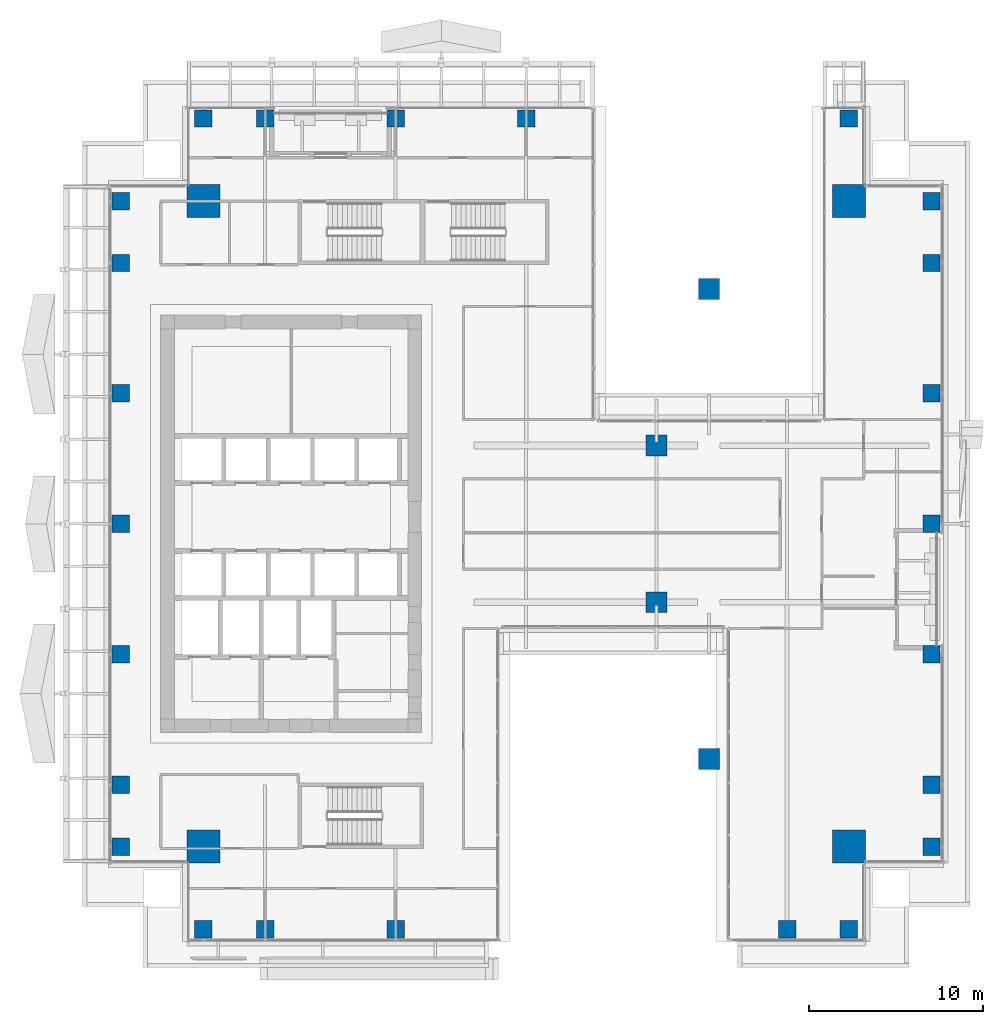
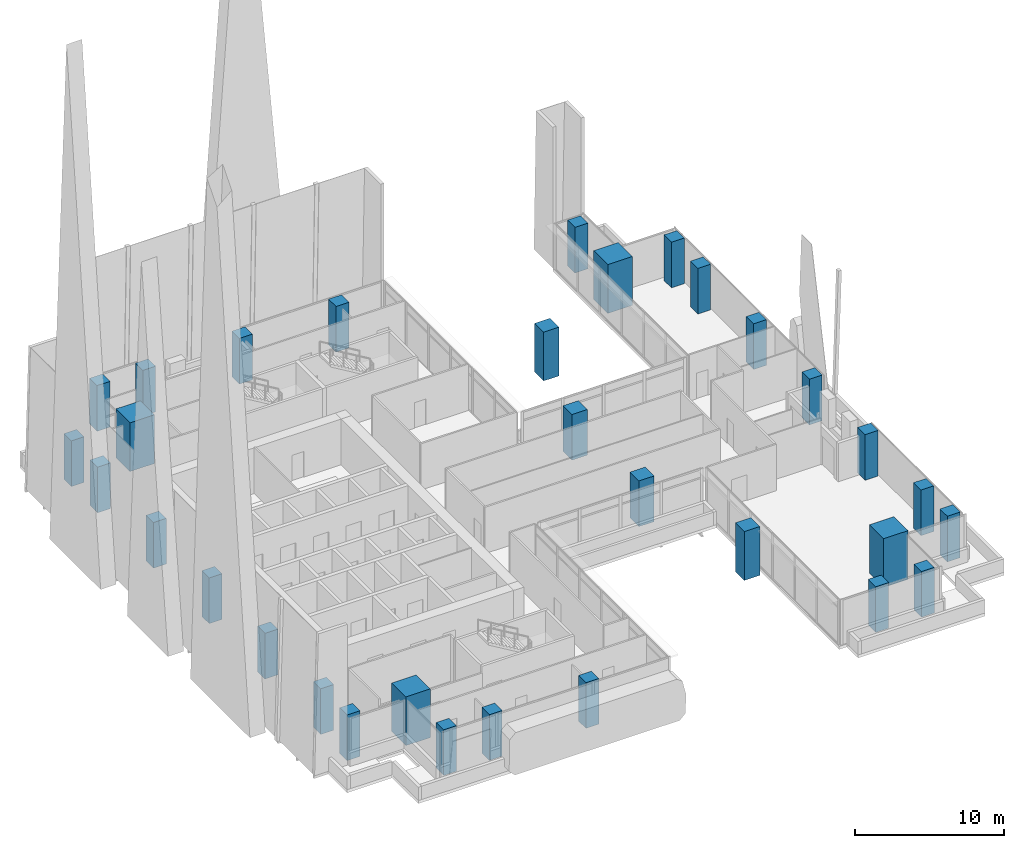
# One storey, part 1 of 43: 32 columns.
"""IFC4 building model written with IfcOpenShell, lengths in metres."""

from ifc_helpers import new_model, si_unit, direction, frame, origin, origin_2d, place, context, subcontext, project, spatial, rectangle, extrude, source, transform, mapped, material, material_profile, profile_set, type_object, element, save


model = new_model("IFC4")

# Units and contexts
model_context = context("Model", 3, precision=1e-05, world=origin(), true_north=direction((0.0, 1.0)))
body_context = subcontext(model_context, "Body", "Model", "MODEL_VIEW")
ifc_project = project(units=[si_unit("LENGTHUNIT", "METRE"), si_unit("AREAUNIT", "SQUARE_METRE"), si_unit("VOLUMEUNIT", "CUBIC_METRE"), si_unit("PLANEANGLEUNIT", "RADIAN"), si_unit("MASSUNIT", "GRAM", prefix="KILO")], contexts=[model_context])

# Site, building, storey
site_placement = place(None, origin())
site = spatial("IfcSite", under=ifc_project, at=site_placement, CompositionType="ELEMENT")
building_placement = place(site_placement, origin())
building = spatial("IfcBuilding", under=site, at=building_placement, Name="Khomas Fold Tower", CompositionType="ELEMENT")
storey_placement = place(building_placement, frame((0.0, 0.0, 164.699951171875)))
storey = spatial("IfcBuildingStorey", under=building, at=storey_placement, Name="L35", CompositionType="ELEMENT", Elevation=164.699951171875)

# Columns
ifc_material_1 = material(Name="Concrete C60/75", Category="concrete")
ifc_material_profile_1 = material_profile(ifc_material_1, rectangle(XDim=1.199951171875, YDim=1.199951171875, at=origin_2d()), Name="RC 1200x1200")
ifc_profile_set_1 = profile_set([ifc_material_profile_1], Name="Concrete C60/75")
column_type_1 = type_object("IfcColumnType", Name="RC 1200x1200 column", PredefinedType="COLUMN", material=ifc_profile_set_1)
shared_shape_1 = source(origin(), body_context, "Body", "SweptSolid", [
    extrude(rectangle(XDim=1.199951171875, YDim=1.199951171875, at=origin_2d()), origin(), (0.0, 0.0, 1.0), 4.0),
])
for number, where, z_axis, x_axis, name in (
    (1, (37.5, 13.5, 0.0), (0.0, 0.0, 1.0), (1.0, 0.0, 0.0), "C-11-H"),
    (2, (37.5, 40.5, 0.0), (0.0, 0.0, 1.0), (1.0, 0.0, 0.0), "C-11-P"),
):
    element("IfcColumn", number, at=place(storey_placement, frame(where, z_axis=z_axis, x_axis=x_axis)), inside=storey, type_object=column_type_1, Name=name, PredefinedType="COLUMN", context=body_context, shape_type="MappedRepresentation", body=[
        mapped(shared_shape_1, transform((0.0, 0.0, 0.0))),
    ])
ifc_material_2 = material(Name="Concrete C60/75", Category="concrete")
ifc_material_profile_2 = material_profile(ifc_material_2, rectangle(XDim=1.89990234375, YDim=1.89990234375, at=origin_2d()), Name="RC 1900x1900")
ifc_profile_set_2 = profile_set([ifc_material_profile_2], Name="Concrete C60/75")
column_type_2 = type_object("IfcColumnType", Name="RC 1900x1900 column", PredefinedType="COLUMN", material=ifc_profile_set_2)
shared_shape_2 = source(origin(), body_context, "Body", "SweptSolid", [
    extrude(rectangle(XDim=1.89990234375, YDim=1.89990234375, at=origin_2d()), origin(), (0.0, 0.0, 1.0), 4.0),
])
for number, where, z_axis, x_axis, name in (
    (3, (45.550048828125, 45.550048828125, 0.0), (0.0, 0.0, 1.0), (1.0, 0.0, 0.0), "CM-NE"),
    (4, (8.449951171875, 45.550048828125, 0.0), (0.0, 0.0, 1.0), (1.0, 0.0, 0.0), "CM-NW"),
    (5, (45.550048828125, 8.449951171875, 0.0), (0.0, 0.0, 1.0), (1.0, 0.0, 0.0), "CM-SE"),
    (6, (8.449951171875, 8.449951171875, 0.0), (0.0, 0.0, 1.0), (1.0, 0.0, 0.0), "CM-SW"),
):
    element("IfcColumn", number, at=place(storey_placement, frame(where, z_axis=z_axis, x_axis=x_axis)), inside=storey, type_object=column_type_2, Name=name, PredefinedType="COLUMN", context=body_context, shape_type="MappedRepresentation", body=[
        mapped(shared_shape_2, transform((0.0, 0.0, 0.0))),
    ])
ifc_material_3 = material(Name="Concrete C50/60", Category="concrete")
ifc_material_profile_3 = material_profile(ifc_material_3, rectangle(XDim=1.0, YDim=1.0, at=origin_2d()), Name="RC 1000x1000")
ifc_profile_set_3 = profile_set([ifc_material_profile_3], Name="Concrete C50/60")
column_type_3 = type_object("IfcColumnType", Name="RC 1000x1000 column", PredefinedType="COLUMN", material=ifc_profile_set_3)
shared_shape_3 = source(origin(), body_context, "Body", "SweptSolid", [
    extrude(rectangle(XDim=1.0, YDim=1.0, at=origin_2d()), origin(), (0.0, 0.0, 1.0), 3.75),
])
for number, where, z_axis, x_axis, name in (
    (7, (8.449951171875, 3.699951171875, 0.0), (0.0, 0.0, 1.0), (1.0, 0.0, 0.0), "C-4-SF3"),
    (8, (12.0, 3.699951171875, 0.0), (0.0, 0.0, 1.0), (1.0, 0.0, 0.0), "C-6-SF3"),
    (9, (19.5, 3.699951171875, 0.0), (0.0, 0.0, 1.0), (1.0, 0.0, 0.0), "C-8-SF3"),
    (10, (42.0, 3.699951171875, 0.0), (0.0, 0.0, 1.0), (1.0, 0.0, 0.0), "C-13-SF3"),
    (11, (45.550048828125, 3.699951171875, 0.0), (0.0, 0.0, 1.0), (1.0, 0.0, 0.0), "C-15-SF3"),
    (12, (50.300048828125, 8.449951171875, 0.0), (0.0, 0.0, 1.0), (1.0, 0.0, 0.0), "C-E3-D"),
    (13, (50.300048828125, 12.0, 0.0), (0.0, 0.0, 1.0), (1.0, 0.0, 0.0), "C-E3-F"),
    (14, (50.300048828125, 19.5, 0.0), (0.0, 0.0, 1.0), (1.0, 0.0, 0.0), "C-E3-J"),
    (15, (50.300048828125, 27.0, 0.0), (0.0, 0.0, 1.0), (1.0, 0.0, 0.0), "C-E3-L"),
    (16, (50.300048828125, 34.5, 0.0), (0.0, 0.0, 1.0), (1.0, 0.0, 0.0), "C-E3-N"),
    (17, (50.300048828125, 42.0, 0.0), (0.0, 0.0, 1.0), (1.0, 0.0, 0.0), "C-E3-R"),
    (18, (50.300048828125, 45.550048828125, 0.0), (0.0, 0.0, 1.0), (1.0, 0.0, 0.0), "C-E3-T"),
    (19, (8.449951171875, 50.300048828125, 0.0), (0.0, 0.0, 1.0), (1.0, 0.0, 0.0), "C-4-NF3"),
    (20, (12.0, 50.300048828125, 0.0), (0.0, 0.0, 1.0), (1.0, 0.0, 0.0), "C-6-NF3"),
    (21, (19.5, 50.300048828125, 0.0), (0.0, 0.0, 1.0), (1.0, 0.0, 0.0), "C-8-NF3"),
    (22, (27.0, 50.300048828125, 0.0), (0.0, 0.0, 1.0), (1.0, 0.0, 0.0), "C-9-NF3"),
    (23, (45.550048828125, 50.300048828125, 0.0), (0.0, 0.0, 1.0), (1.0, 0.0, 0.0), "C-15-NF3"),
    (24, (3.699951171875, 8.449951171875, 0.0), (0.0, 0.0, 1.0), (1.0, 0.0, 0.0), "C-W3-D"),
    (25, (3.699951171875, 12.0, 0.0), (0.0, 0.0, 1.0), (1.0, 0.0, 0.0), "C-W3-F"),
    (26, (3.699951171875, 19.5, 0.0), (0.0, 0.0, 1.0), (1.0, 0.0, 0.0), "C-W3-J"),
    (27, (3.699951171875, 27.0, 0.0), (0.0, 0.0, 1.0), (1.0, 0.0, 0.0), "C-W3-L"),
    (28, (3.699951171875, 34.5, 0.0), (0.0, 0.0, 1.0), (1.0, 0.0, 0.0), "C-W3-N"),
    (29, (3.699951171875, 42.0, 0.0), (0.0, 0.0, 1.0), (1.0, 0.0, 0.0), "C-W3-R"),
    (30, (3.699951171875, 45.550048828125, 0.0), (0.0, 0.0, 1.0), (1.0, 0.0, 0.0), "C-W3-T"),
):
    element("IfcColumn", number, at=place(storey_placement, frame(where, z_axis=z_axis, x_axis=x_axis)), inside=storey, type_object=column_type_3, Name=name, PredefinedType="COLUMN", context=body_context, shape_type="MappedRepresentation", body=[
        mapped(shared_shape_3, transform((0.0, 0.0, 0.0))),
    ])
shared_shape_4 = source(origin(), body_context, "Body", "SweptSolid", [
    extrude(rectangle(XDim=1.199951171875, YDim=1.199951171875, at=origin_2d()), origin(), (0.0, 0.0, 1.0), 3.75),
])
for number, where, z_axis, x_axis, name in (
    (31, (34.5, 22.5, 0.0), (0.0, 0.0, 1.0), (1.0, 0.0, 0.0), "C-10-K"),
    (32, (34.5, 31.5, 0.0), (0.0, 0.0, 1.0), (1.0, 0.0, 0.0), "C-10-M"),
):
    element("IfcColumn", number, at=place(storey_placement, frame(where, z_axis=z_axis, x_axis=x_axis)), inside=storey, type_object=column_type_1, Name=name, PredefinedType="COLUMN", context=body_context, shape_type="MappedRepresentation", body=[
        mapped(shared_shape_4, transform((0.0, 0.0, 0.0))),
    ])

save(model, "model.ifc")
